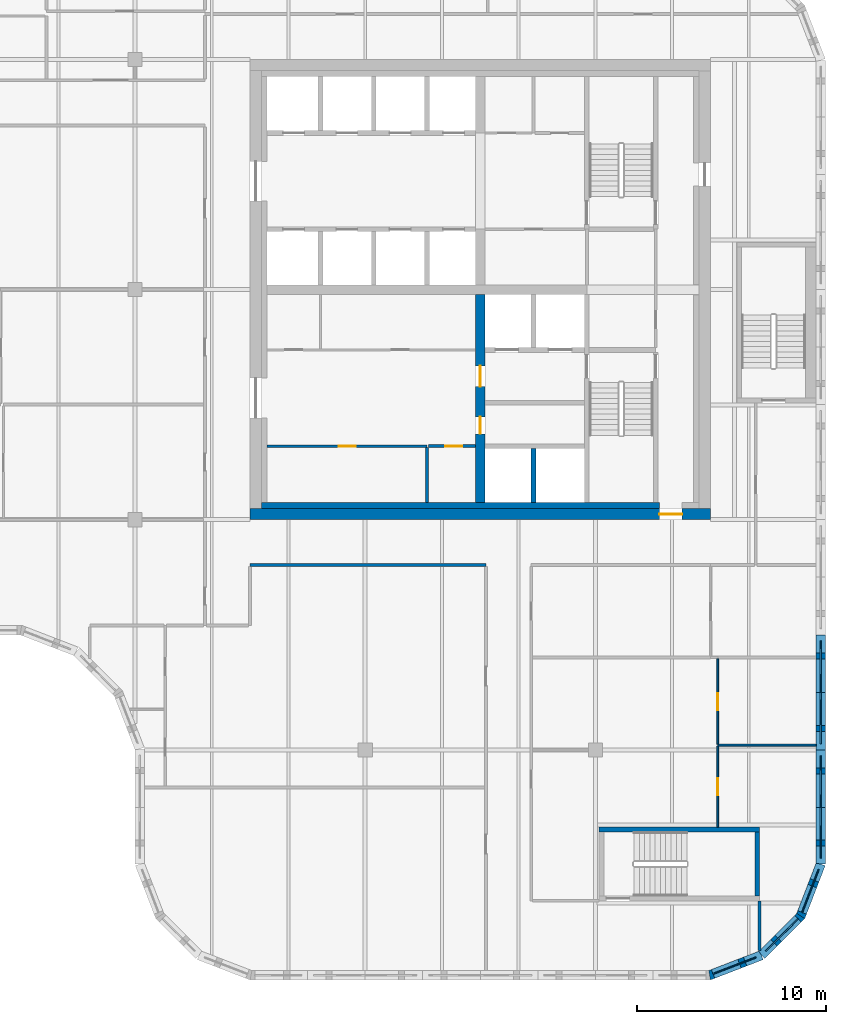
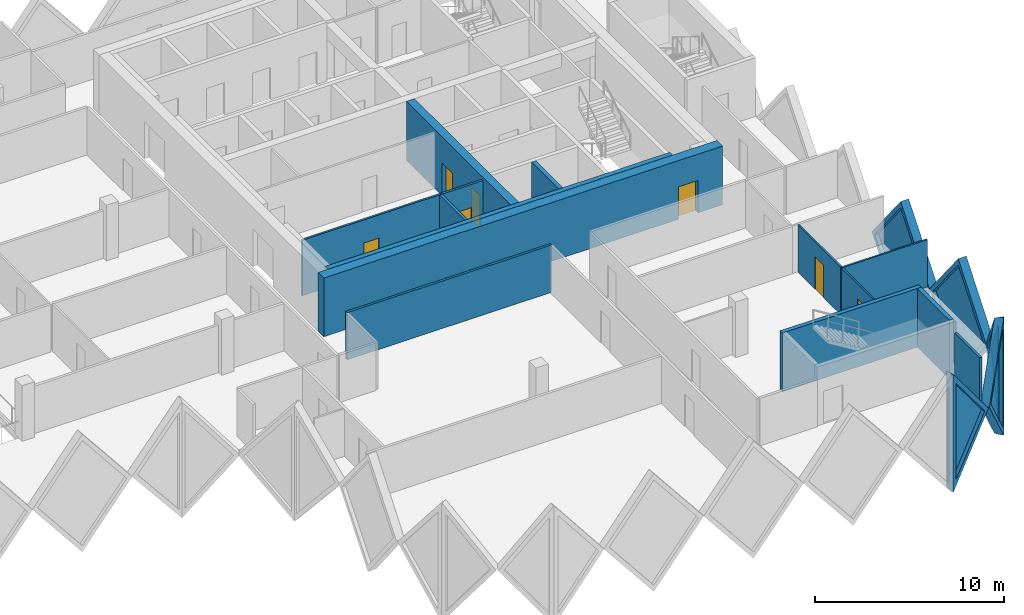
# One storey, part 5 of 12: 19 walls, 7 doors, 5 plates, 12 openings.
"""IFC4 building model written with IfcOpenShell, lengths in metres."""

from ifc_helpers import new_model, si_unit, direction, frame, frame_2d, origin, place, context, subcontext, project, spatial, polyline, rectangle, outline, extrude, faceted_brep, source, transform, mapped, material, layer, layer_set, type_object, element, fill, save


model = new_model("IFC4")

# Units and contexts
model_context = context("Model", 3, precision=1e-05, world=origin(), true_north=direction((0.0, 1.0)))
body_context = subcontext(model_context, "Body", "Model", "MODEL_VIEW")
ifc_project = project(units=[si_unit("LENGTHUNIT", "METRE"), si_unit("AREAUNIT", "SQUARE_METRE"), si_unit("VOLUMEUNIT", "CUBIC_METRE"), si_unit("PLANEANGLEUNIT", "RADIAN"), si_unit("MASSUNIT", "GRAM", prefix="KILO")], contexts=[model_context])

# Site, building, storey
site_placement = place(None, origin())
site = spatial("IfcSite", under=ifc_project, at=site_placement, CompositionType="ELEMENT")
building_placement = place(site_placement, origin())
building = spatial("IfcBuilding", under=site, at=building_placement, Name="Tessera Gate Towers", CompositionType="ELEMENT")
storey_placement = place(building_placement, frame((0.0, 0.0, 185.800048828125)))
storey = spatial("IfcBuildingStorey", under=building, at=storey_placement, Name="L46", CompositionType="ELEMENT", Elevation=185.800048828125)

# Walls
ifc_material_1 = material(Name="Concrete C40/50", Category="concrete")
ifc_layer_1 = layer(ifc_material_1, 0.25)
ifc_layer_set_1 = layer_set([ifc_layer_1], Name="CORE ENCLOSURE WALL 250")
wall_type_1 = type_object("IfcWallType", Name="CORE ENCLOSURE WALL 250", PredefinedType="SOLIDWALL", material=ifc_layer_set_1)
wall_1_placement = place(storey_placement, frame((45.52490234375, 25.300048828125, 0.0), z_axis=(0.0, 0.0, 1.0), x_axis=(0.0, 1.0, 0.0)))
element("IfcWall", 1, at=wall_1_placement, inside=storey, type_object=wall_type_1, Name="L46 shaft and stair enclosure wall", PredefinedType="SOLIDWALL", context=body_context, shape_type="SweptSolid", body=[
    extrude(rectangle(XDim=2.875, YDim=0.25, at=frame_2d((1.4375, 0.0))), origin(), (0.0, 0.0, 1.0), 3.800048828125),
])
wall_2_placement = place(storey_placement, frame((49.0, 7.97509765625, 0.0), z_axis=(0.0, 0.0, 1.0), x_axis=(1.0, 0.0, 0.0)))
element("IfcWall", 2, at=wall_2_placement, inside=storey, type_object=wall_type_1, Name="L46 ST4 enclosure wall", PredefinedType="SOLIDWALL", context=body_context, shape_type="SweptSolid", body=[
    extrude(rectangle(XDim=8.5, YDim=0.25, at=frame_2d((4.25, 0.0))), origin(), (0.0, 0.0, 1.0), 3.800048828125),
])
wall_3_placement = place(storey_placement, frame((57.375, 7.85009765625, 0.0), z_axis=(0.0, 0.0, 1.0), x_axis=(0.0, -1.0, 0.0)))
element("IfcWall", 3, at=wall_3_placement, inside=storey, type_object=wall_type_1, Name="L46 ST4 enclosure wall", PredefinedType="SOLIDWALL", context=body_context, shape_type="SweptSolid", body=[
    extrude(rectangle(XDim=3.400146484375, YDim=0.25, at=frame_2d((1.7001953125, 0.0))), origin(), (0.0, 0.0, 1.0), 3.800048828125),
])

# Wall, opening, door
ifc_material_2 = material(Name="Gypsum board on steel studs", Category="steel")
ifc_layer_2 = layer(ifc_material_2, 0.1201171875)
ifc_layer_set_2 = layer_set([ifc_layer_2], Name="CORE PARTITION 120")
wall_type_2 = type_object("IfcWallType", Name="CORE PARTITION 120", PredefinedType="PARTITIONING", material=ifc_layer_set_2)
wall_4_placement = place(storey_placement, frame((39.875, 28.300048828125, 0.0), z_axis=(0.0, 0.0, 1.0), x_axis=(-1.0, 0.0, 0.0)))
wall_4 = element("IfcWall", 4, at=wall_4_placement, inside=storey, type_object=wall_type_2, Name="L46 core partition", PredefinedType="PARTITIONING", context=body_context, shape_type="SweptSolid", body=[
    extrude(rectangle(XDim=8.47509765625, YDim=0.1201171875, at=frame_2d((4.237548828125, 0.0))), origin(), (0.0, 0.0, 1.0), 3.599853515625),
])
shared_shape_1 = source(origin(), body_context, "Body", "SweptSolid", [
    extrude(rectangle(XDim=0.89990234375, YDim=2.10009765625, at=frame_2d((0.449951171875, 1.050048828125))), frame((0.0, 0.070068359375, 0.0), z_axis=(0.0, -1.0, 0.0), x_axis=(1.0, 0.0, 0.0)), (0.0, 0.0, 1.0), 0.14013671875),
])
opening_1_placement = place(wall_4_placement, frame((3.78759765625, 0.0, 0.0)))
opening_1 = element("IfcOpeningElement", 5, at=opening_1_placement, cuts=wall_4, Name="Opening RD-T1-28-09", PredefinedType="OPENING", context=body_context, shape_type="MappedRepresentation", body=[
    mapped(shared_shape_1, transform((0.0, 0.0, 0.0), scale=1.0)),
])
ifc_material_3 = material(Name="Hollow steel fire door", Category="steel")
door_type_1 = type_object("IfcDoorType", Name="CORE DOOR RD 900x2100", OperationType="NOTDEFINED", PredefinedType="DOOR", material=ifc_material_3)
shared_shape_2 = source(origin(), body_context, "Body", "SweptSolid", [
    extrude(rectangle(XDim=0.89990234375, YDim=2.10009765625, at=frame_2d((0.449951171875, 1.050048828125))), frame((0.0, 0.02490234375, 0.0), z_axis=(0.0, -1.0, 0.0), x_axis=(1.0, 0.0, 0.0)), (0.0, 0.0, 1.0), 0.050048828125),
])
door_1_placement = place(opening_1_placement, origin())
door_1 = element("IfcDoor", 6, at=door_1_placement, inside=storey, type_object=door_type_1, Name="Core room door", OperationType="SINGLE_SWING_RIGHT", OverallHeight=2.10009765625, OverallWidth=0.89990234375, PredefinedType="DOOR", context=body_context, shape_type="MappedRepresentation", body=[
    mapped(shared_shape_2, transform((0.0, 0.0, 0.0), scale=1.0)),
])
fill(opening_1, door_1)

ifc_material_4 = material(Name="Concrete C50/60", Category="concrete")
ifc_layer_3 = layer(ifc_material_4, 0.60009765625)
ifc_layer_set_3 = layer_set([ifc_layer_3], Name="CORE SHEAR WALL 600 C50/60")
wall_type_3 = type_object("IfcWallType", Name="CORE SHEAR WALL 600 C50/60", PredefinedType="SHEAR", material=ifc_layer_set_3)
wall_5_placement = place(storey_placement, frame((54.89990234375, 24.699951171875, 0.0), z_axis=(0.0, 0.0, 1.0), x_axis=(-1.0, 0.0, 0.0)))
wall_5 = element("IfcWall", 7, at=wall_5_placement, inside=storey, type_object=wall_type_3, Name="Core wall S L46", PredefinedType="SHEAR", context=body_context, shape_type="SweptSolid", body=[
    extrude(rectangle(XDim=24.39990234375, YDim=0.60009765625, at=frame_2d((12.199951171875, 0.0))), origin(), (0.0, 0.0, 1.0), 3.800048828125),
])
shared_shape_3 = source(origin(), body_context, "Body", "SweptSolid", [
    extrude(rectangle(XDim=1.199951171875, YDim=2.10009765625, at=frame_2d((0.60009765625, 1.050048828125))), frame((0.0, 0.31005859375, 0.0), z_axis=(0.0, -1.0, 0.0), x_axis=(1.0, 0.0, 0.0)), (0.0, 0.0, 1.0), 0.6201171875),
])
opening_2_placement = place(wall_5_placement, frame((1.5, 0.0, 0.0)))
opening_2 = element("IfcOpeningElement", 8, at=opening_2_placement, cuts=wall_5, Name="Opening ED-T1-28-01", PredefinedType="OPENING", context=body_context, shape_type="MappedRepresentation", body=[
    mapped(shared_shape_3, transform((0.0, 0.0, 0.0), scale=1.0)),
])
ifc_material_5 = material(Name="Hollow steel fire door", Category="steel")
door_type_2 = type_object("IfcDoorType", Name="CORE DOOR ED 1200x2100", OperationType="NOTDEFINED", PredefinedType="DOOR", material=ifc_material_5)
shared_shape_4 = source(origin(), body_context, "Body", "SweptSolid", [
    extrude(rectangle(XDim=1.199951171875, YDim=2.10009765625, at=frame_2d((0.60009765625, 1.050048828125))), frame((0.0, 0.02490234375, 0.0), z_axis=(0.0, -1.0, 0.0), x_axis=(1.0, 0.0, 0.0)), (0.0, 0.0, 1.0), 0.050048828125),
])
door_2_placement = place(opening_2_placement, origin())
door_2 = element("IfcDoor", 9, at=door_2_placement, inside=storey, type_object=door_type_2, Name="Core exit door", OperationType="SINGLE_SWING_LEFT", OverallHeight=2.10009765625, OverallWidth=1.199951171875, PredefinedType="DOOR", context=body_context, shape_type="MappedRepresentation", body=[
    mapped(shared_shape_4, transform((0.0, 0.0, 0.0), scale=1.0)),
])
fill(opening_2, door_2)

# Wall, openings, doors
ifc_material_6 = material(Name="Concrete C50/60", Category="concrete")
ifc_layer_4 = layer(ifc_material_6, 0.5)
ifc_layer_set_4 = layer_set([ifc_layer_4], Name="CORE SPINE WALL 500 C50/60")
wall_type_4 = type_object("IfcWallType", Name="CORE SPINE WALL 500 C50/60", PredefinedType="SHEAR", material=ifc_layer_set_4)
wall_6_placement = place(storey_placement, frame((42.699951171875, 36.35009765625, 0.0), z_axis=(0.0, 0.0, 1.0), x_axis=(0.0, -1.0, 0.0)))
wall_6 = element("IfcWall", 10, at=wall_6_placement, inside=storey, type_object=wall_type_4, Name="Core wall spine L46", PredefinedType="SHEAR", context=body_context, shape_type="SweptSolid", body=[
    extrude(rectangle(XDim=11.050048828125, YDim=0.5, at=frame_2d((5.52490234375, 0.0))), origin(), (0.0, 0.0, 1.0), 3.800048828125),
])
shared_shape_5 = source(origin(), body_context, "Body", "SweptSolid", [
    extrude(rectangle(XDim=0.89990234375, YDim=2.10009765625, at=frame_2d((0.449951171875, 1.050048828125))), frame((0.0, 0.260009765625, 0.0), z_axis=(0.0, -1.0, 0.0), x_axis=(1.0, 0.0, 0.0)), (0.0, 0.0, 1.0), 0.52001953125),
])
opening_3_placement = place(wall_6_placement, frame((6.5, 0.0, 0.0)))
opening_3 = element("IfcOpeningElement", 11, at=opening_3_placement, cuts=wall_6, Name="Opening RD-T1-28-05", PredefinedType="OPENING", context=body_context, shape_type="MappedRepresentation", body=[
    mapped(shared_shape_5, transform((0.0, 0.0, 0.0), scale=1.0)),
])
shared_shape_6 = source(origin(), body_context, "Body", "SweptSolid", [
    extrude(rectangle(XDim=1.10009765625, YDim=2.10009765625, at=frame_2d((0.550048828125, 1.050048828125))), frame((0.0, 0.260009765625, 0.0), z_axis=(0.0, -1.0, 0.0), x_axis=(1.0, 0.0, 0.0)), (0.0, 0.0, 1.0), 0.52001953125),
])
opening_4_placement = place(wall_6_placement, frame((3.800048828125, 0.0, 0.0)))
opening_4 = element("IfcOpeningElement", 12, at=opening_4_placement, cuts=wall_6, Name="Opening FD-T1-28-06", PredefinedType="OPENING", context=body_context, shape_type="MappedRepresentation", body=[
    mapped(shared_shape_6, transform((0.0, 0.0, 0.0), scale=1.0)),
])
door_3_placement = place(opening_3_placement, origin())
door_3 = element("IfcDoor", 13, at=door_3_placement, inside=storey, type_object=door_type_1, Name="Core room door", OperationType="SINGLE_SWING_RIGHT", OverallHeight=2.10009765625, OverallWidth=0.89990234375, PredefinedType="DOOR", context=body_context, shape_type="MappedRepresentation", body=[
    mapped(shared_shape_2, transform((0.0, 0.0, 0.0), scale=1.0)),
])
fill(opening_3, door_3)
ifc_material_7 = material(Name="Hollow steel fire door", Category="steel")
door_type_3 = type_object("IfcDoorType", Name="CORE DOOR FD 1100x2100", OperationType="NOTDEFINED", PredefinedType="DOOR", material=ifc_material_7)
shared_shape_7 = source(origin(), body_context, "Body", "SweptSolid", [
    extrude(rectangle(XDim=1.10009765625, YDim=2.10009765625, at=frame_2d((0.550048828125, 1.050048828125))), frame((0.0, 0.02490234375, 0.0), z_axis=(0.0, -1.0, 0.0), x_axis=(1.0, 0.0, 0.0)), (0.0, 0.0, 1.0), 0.050048828125),
])
door_4_placement = place(opening_4_placement, origin())
door_4 = element("IfcDoor", 14, at=door_4_placement, inside=storey, type_object=door_type_3, Name="Fire-fighting lobby door", OperationType="SINGLE_SWING_LEFT", OverallHeight=2.10009765625, OverallWidth=1.10009765625, PredefinedType="DOOR", context=body_context, shape_type="MappedRepresentation", body=[
    mapped(shared_shape_7, transform((0.0, 0.0, 0.0), scale=1.0)),
])
fill(opening_4, door_4)

# Walls
ifc_material_8 = material(Name="Concrete C50/60", Category="concrete")
ifc_layer_5 = layer(ifc_material_8, 0.300048828125)
ifc_layer_set_5 = layer_set([ifc_layer_5], Name="CORE WALL THICKENING 300")
wall_type_5 = type_object("IfcWallType", Name="CORE WALL THICKENING 300", PredefinedType="SOLIDWALL", material=ifc_layer_set_5)
wall_7_placement = place(storey_placement, frame((31.10009765625, 25.14990234375, 0.0), z_axis=(0.0, 0.0, 1.0), x_axis=(1.0, 0.0, 0.0)))
element("IfcWall", 15, at=wall_7_placement, inside=storey, type_object=wall_type_5, Name="Core wall thickening S L46", PredefinedType="SOLIDWALL", context=body_context, shape_type="SweptSolid", body=[
    extrude(rectangle(XDim=21.099853515625, YDim=0.300048828125, at=frame_2d((10.5498046875, 0.0))), origin(), (0.0, 0.0, 1.0), 3.800048828125),
])
ifc_material_9 = material(Name="Gypsum board on steel studs, mineral wool", Category="steel")
ifc_layer_6 = layer(ifc_material_9, 0.14990234375)
ifc_layer_set_6 = layer_set([ifc_layer_6], Name="CORRIDOR WALL 150")
wall_type_6 = type_object("IfcWallType", Name="CORRIDOR WALL 150", PredefinedType="PARTITIONING", material=ifc_layer_set_6)
wall_8_placement = place(storey_placement, frame((57.5, 1.55908203125, 0.0), z_axis=(0.0, 0.0, 1.0), x_axis=(0.0, 1.0, 0.0)))
element("IfcWall", 16, at=wall_8_placement, inside=storey, type_object=wall_type_6, Name="T1-L46-PW-002", PredefinedType="PARTITIONING", context=body_context, shape_type="SweptSolid", body=[
    extrude(rectangle(XDim=2.640869140625, YDim=0.14990234375, at=frame_2d((1.3203125, 0.0))), origin(), (0.0, 0.0, 1.0), 3.06689453125),
])
wall_9_placement = place(storey_placement, frame((30.5, 22.0, 0.0), z_axis=(0.0, 0.0, 1.0), x_axis=(1.0, 0.0, 0.0)))
element("IfcWall", 17, at=wall_9_placement, inside=storey, type_object=wall_type_6, Name="T1-L46-PW-023", PredefinedType="PARTITIONING", context=body_context, shape_type="SweptSolid", body=[
    extrude(rectangle(XDim=12.5, YDim=0.14990234375, at=frame_2d((6.25, 0.0))), origin(), (0.0, 0.0, 1.0), 3.06689453125),
])

# Wall, opening, door
ifc_material_10 = material(Name="Glass", Category="glass")
ifc_layer_7 = layer(ifc_material_10, 0.10009765625)
ifc_layer_set_7 = layer_set([ifc_layer_7], Name="GLAZED PARTITION 100")
wall_type_7 = type_object("IfcWallType", Name="GLAZED PARTITION 100", PredefinedType="PARTITIONING", material=ifc_layer_set_7)
wall_10_placement = place(storey_placement, frame((55.2900390625, 12.396728515625, 0.0), z_axis=(0.0, 0.0, 1.0), x_axis=(0.0, -1.0, 0.0)))
wall_10 = element("IfcWall", 18, at=wall_10_placement, inside=storey, type_object=wall_type_7, Name="T1-L46-PW-005", PredefinedType="PARTITIONING", context=body_context, shape_type="SweptSolid", body=[
    extrude(rectangle(XDim=4.296630859375, YDim=0.10009765625, at=frame_2d((2.1484375, 0.0))), origin(), (0.0, 0.0, 1.0), 3.06689453125),
])
shared_shape_8 = source(origin(), body_context, "Body", "SweptSolid", [
    extrude(rectangle(XDim=0.89990234375, YDim=2.10009765625, at=frame_2d((0.449951171875, 1.050048828125))), frame((0.0, 0.06005859375, 0.0), z_axis=(0.0, -1.0, 0.0), x_axis=(1.0, 0.0, 0.0)), (0.0, 0.0, 1.0), 0.1201171875),
])
opening_5_placement = place(wall_10_placement, frame((1.69677734375, 0.0, 0.0)))
opening_5 = element("IfcOpeningElement", 19, at=opening_5_placement, cuts=wall_10, Name="Opening D690-A17-01", PredefinedType="OPENING", context=body_context, shape_type="MappedRepresentation", body=[
    mapped(shared_shape_8, transform((0.0, 0.0, 0.0), scale=1.0)),
])
ifc_material_11 = material(Name="Glass in aluminium frame", Category="aluminium")
door_type_4 = type_object("IfcDoorType", Name="GLAZED DOOR 900 NOT RATED", OperationType="NOTDEFINED", PredefinedType="DOOR", material=ifc_material_11)
door_5_placement = place(opening_5_placement, origin())
door_5 = element("IfcDoor", 20, at=door_5_placement, inside=storey, type_object=door_type_4, Name="T1-L46-PD-003", OperationType="SINGLE_SWING_RIGHT", OverallHeight=2.10009765625, OverallWidth=0.89990234375, PredefinedType="DOOR", context=body_context, shape_type="MappedRepresentation", body=[
    mapped(shared_shape_2, transform((0.0, 0.0, 0.0), scale=1.0)),
])
fill(opening_5, door_5)

wall_11_placement = place(storey_placement, frame((55.2900390625, 17.02392578125, 0.0), z_axis=(0.0, 0.0, 1.0), x_axis=(0.0, -1.0, 0.0)))
wall_11 = element("IfcWall", 21, at=wall_11_placement, inside=storey, type_object=wall_type_7, Name="T1-L46-PW-010", PredefinedType="PARTITIONING", context=body_context, shape_type="SweptSolid", body=[
    extrude(rectangle(XDim=4.525146484375, YDim=0.10009765625, at=frame_2d((2.2626953125, 0.0))), origin(), (0.0, 0.0, 1.0), 3.06689453125),
])
opening_6_placement = place(wall_11_placement, frame((1.8251953125, 0.0, 0.0)))
opening_6 = element("IfcOpeningElement", 22, at=opening_6_placement, cuts=wall_11, Name="Opening D690-A17-02", PredefinedType="OPENING", context=body_context, shape_type="MappedRepresentation", body=[
    mapped(shared_shape_8, transform((0.0, 0.0, 0.0), scale=1.0)),
])
door_6_placement = place(opening_6_placement, origin())
door_6 = element("IfcDoor", 23, at=door_6_placement, inside=storey, type_object=door_type_4, Name="T1-L46-PD-005", OperationType="SINGLE_SWING_RIGHT", OverallHeight=2.10009765625, OverallWidth=0.89990234375, PredefinedType="DOOR", context=body_context, shape_type="MappedRepresentation", body=[
    mapped(shared_shape_2, transform((0.0, 0.0, 0.0), scale=1.0)),
])
fill(opening_6, door_6)

# Walls
ifc_material_12 = material(Name="Gypsum board on steel studs", Category="steel")
ifc_layer_8 = layer(ifc_material_12, 0.10009765625)
ifc_layer_set_8 = layer_set([ifc_layer_8], Name="PARTITION 100")
wall_type_8 = type_object("IfcWallType", Name="PARTITION 100", PredefinedType="PARTITIONING", material=ifc_layer_set_8)
wall_12_placement = place(storey_placement, frame((55.2900390625, 12.447998046875, 0.0), z_axis=(0.0, 0.0, 1.0), x_axis=(1.0, 0.0, 0.0)))
element("IfcWall", 24, at=wall_12_placement, inside=storey, type_object=wall_type_8, Name="T1-L46-PW-009", PredefinedType="PARTITIONING", context=body_context, shape_type="SweptSolid", body=[
    extrude(rectangle(XDim=5.2099609375, YDim=0.10009765625, at=frame_2d((2.60498046875, 0.0))), origin(), (0.0, 0.0, 1.0), 3.06689453125),
])
ifc_material_13 = material(Name="Gypsum board on steel studs", Category="steel")
ifc_layer_9 = layer(ifc_material_13, 0.14990234375)
ifc_layer_set_9 = layer_set([ifc_layer_9], Name="SERVICE ROOM WALL 150")
wall_type_9 = type_object("IfcWallType", Name="SERVICE ROOM WALL 150", PredefinedType="PARTITIONING", material=ifc_layer_set_9)
wall_13_placement = place(storey_placement, frame((39.875, 25.300048828125, 0.0), z_axis=(0.0, 0.0, 1.0), x_axis=(0.0, 1.0, 0.0)))
element("IfcWall", 25, at=wall_13_placement, inside=storey, type_object=wall_type_9, Name="L46 service room wall", PredefinedType="PARTITIONING", context=body_context, shape_type="SweptSolid", body=[
    extrude(rectangle(XDim=2.93994140625, YDim=0.14990234375, at=frame_2d((1.469970703125, 0.0))), origin(), (0.0, 0.0, 1.0), 3.599853515625),
])

# Wall, opening, door
wall_14_placement = place(storey_placement, frame((42.449951171875, 28.300048828125, 0.0), z_axis=(0.0, 0.0, 1.0), x_axis=(-1.0, 0.0, 0.0)))
wall_14 = element("IfcWall", 26, at=wall_14_placement, inside=storey, type_object=wall_type_9, Name="L46 service room wall", PredefinedType="PARTITIONING", context=body_context, shape_type="SweptSolid", body=[
    extrude(rectangle(XDim=2.5, YDim=0.14990234375, at=frame_2d((1.25, 0.0))), origin(), (0.0, 0.0, 1.0), 3.599853515625),
])
shared_shape_9 = source(origin(), body_context, "Body", "SweptSolid", [
    extrude(rectangle(XDim=0.89990234375, YDim=2.10009765625, at=frame_2d((0.449951171875, 1.050048828125))), frame((0.0, 0.0849609375, 0.0), z_axis=(0.0, -1.0, 0.0), x_axis=(1.0, 0.0, 0.0)), (0.0, 0.0, 1.0), 0.169921875),
])
opening_7_placement = place(wall_14_placement, frame((0.71240234375, 0.0, 0.0)))
opening_7 = element("IfcOpeningElement", 27, at=opening_7_placement, cuts=wall_14, Name="Opening RD-T1-28-14", PredefinedType="OPENING", context=body_context, shape_type="MappedRepresentation", body=[
    mapped(shared_shape_9, transform((0.0, 0.0, 0.0), scale=1.0)),
])
door_7_placement = place(opening_7_placement, origin())
door_7 = element("IfcDoor", 28, at=door_7_placement, inside=storey, type_object=door_type_1, Name="Core room door", OperationType="SINGLE_SWING_LEFT", OverallHeight=2.10009765625, OverallWidth=0.89990234375, PredefinedType="DOOR", context=body_context, shape_type="MappedRepresentation", body=[
    mapped(shared_shape_2, transform((0.0, 0.0, 0.0), scale=1.0)),
])
fill(opening_7, door_7)

# Wall, opening, plate
ifc_material_14 = material(Name="Precast concrete C60/75 white", Category="concrete")
ifc_layer_10 = layer(ifc_material_14, 0.5)
ifc_layer_set_10 = layer_set([ifc_layer_10], Name="TS1 tessera")
wall_type_10 = type_object("IfcWallType", Name="TS1 tessera", PredefinedType="SOLIDWALL", material=ifc_layer_set_10)
shared_shape_10 = source(origin(), body_context, "Body", "Brep", [
    faceted_brep([(3.00341796875, -0.25, 0.0), (6.053466796875, -0.25, 3.800048828125), (3.00341796875, -0.25, 7.60009765625), (0.0, -0.25, 3.800048828125), (0.046630859375, 0.25, 3.85888671875), (3.00341796875, 0.25, 7.60009765625), (6.053466796875, 0.25, 3.800048828125), (3.00341796875, 0.25, 0.0), (0.046630859375, 0.25, 3.7412109375), (0.0, 0.0, 3.800048828125)], [[[0, 1, 2, 3]], [[4, 5, 6, 7, 8]], [[7, 6, 1, 0]], [[6, 5, 2, 1]], [[5, 4, 9, 3, 2]], [[8, 7, 0, 3, 9]], [[8, 9, 4]]]),
])
wall_15_placement = place(storey_placement, frame((60.75, 6.146484375, -3.800048828125), z_axis=(0.0, 0.0, 1.0), x_axis=(0.0, 1.0, 0.0)))
wall_15 = element("IfcWall", 29, at=wall_15_placement, inside=storey, type_object=wall_type_10, Name="Precast tessera T1 TS1-0808", PredefinedType="SOLIDWALL", context=body_context, shape_type="MappedRepresentation", body=[
    mapped(shared_shape_10, transform((0.0, 0.0, 0.0), scale=1.0)),
])
shared_shape_11 = source(origin(), body_context, "Body", "SweptSolid", [
    extrude(outline(polyline([(3.0048828125, 0.4013671875), (5.73291015625, 3.800048828125), (3.0048828125, 7.19873046875), (0.318603515625, 3.800048828125), (3.0048828125, 0.4013671875)])), frame((0.0, 0.260009765625, 0.0), z_axis=(0.0, -1.0, 0.0), x_axis=(1.0, 0.0, 0.0)), (0.0, 0.0, 1.0), 0.52001953125),
])
opening_8_placement = place(wall_15_placement, origin())
opening_8 = element("IfcOpeningElement", 30, at=opening_8_placement, cuts=wall_15, Name="Opening T1-PL2-1654", PredefinedType="OPENING", context=body_context, shape_type="MappedRepresentation", body=[
    mapped(shared_shape_11, transform((0.0, 0.0, 0.0), scale=1.0)),
])
ifc_material_15 = material(Name="Low-e laminated glass", Category="glass")
ifc_layer_11 = layer(ifc_material_15, 0.06005859375)
ifc_layer_set_11 = layer_set([ifc_layer_11], Name="PL2 rhombic pane")
plate_type = type_object("IfcPlateType", Name="PL2 rhombic pane", PredefinedType="SHEET", material=ifc_layer_set_11)
shared_shape_12 = source(origin(), body_context, "Body", "SweptSolid", [
    extrude(outline(polyline([(3.0048828125, 0.4013671875), (5.73291015625, 3.800048828125), (3.0048828125, 7.19873046875), (0.318603515625, 3.800048828125), (3.0048828125, 0.4013671875)])), frame((0.0, 0.030029296875, 0.0), z_axis=(0.0, -1.0, 0.0), x_axis=(1.0, 0.0, 0.0)), (0.0, 0.0, 1.0), 0.06005859375),
])
plate_1_placement = place(opening_8_placement, origin())
plate_1 = element("IfcPlate", 31, at=plate_1_placement, inside=storey, type_object=plate_type, Name="Glass pane T1 PL2-1654", PredefinedType="SHEET", context=body_context, shape_type="MappedRepresentation", body=[
    mapped(shared_shape_12, transform((0.0, 0.0, 0.0), scale=1.0)),
])
fill(opening_8, plate_1)

shared_shape_13 = source(origin(), body_context, "Body", "SweptSolid", [
    extrude(outline(polyline([(3.050048828125, 0.0), (6.10009765625, 3.800048828125), (3.050048828125, 7.60009765625), (0.0, 3.800048828125), (3.050048828125, 0.0)])), frame((0.0, 0.25, 0.0), z_axis=(0.0, -1.0, 0.0), x_axis=(1.0, 0.0, 0.0)), (0.0, 0.0, 1.0), 0.5),
])
wall_16_placement = place(storey_placement, frame((60.75, 12.199951171875, -3.800048828125), z_axis=(0.0, 0.0, 1.0), x_axis=(0.0, 1.0, 0.0)))
wall_16 = element("IfcWall", 32, at=wall_16_placement, inside=storey, type_object=wall_type_10, Name="Precast tessera T1 TS1-0809", PredefinedType="SOLIDWALL", context=body_context, shape_type="MappedRepresentation", body=[
    mapped(shared_shape_13, transform((0.0, 0.0, 0.0), scale=1.0)),
])
shared_shape_14 = source(origin(), body_context, "Body", "SweptSolid", [
    extrude(outline(polyline([(3.050048828125, 0.3994140625), (5.779541015625, 3.800048828125), (3.050048828125, 7.20068359375), (0.320556640625, 3.800048828125), (3.050048828125, 0.3994140625)])), frame((0.0, 0.260009765625, 0.0), z_axis=(0.0, -1.0, 0.0), x_axis=(1.0, 0.0, 0.0)), (0.0, 0.0, 1.0), 0.52001953125),
])
opening_9_placement = place(wall_16_placement, origin())
opening_9 = element("IfcOpeningElement", 33, at=opening_9_placement, cuts=wall_16, Name="Opening T1-PL2-1655", PredefinedType="OPENING", context=body_context, shape_type="MappedRepresentation", body=[
    mapped(shared_shape_14, transform((0.0, 0.0, 0.0), scale=1.0)),
])
shared_shape_15 = source(origin(), body_context, "Body", "SweptSolid", [
    extrude(outline(polyline([(3.050048828125, 0.3994140625), (5.779541015625, 3.800048828125), (3.050048828125, 7.20068359375), (0.320556640625, 3.800048828125), (3.050048828125, 0.3994140625)])), frame((0.0, 0.030029296875, 0.0), z_axis=(0.0, -1.0, 0.0), x_axis=(1.0, 0.0, 0.0)), (0.0, 0.0, 1.0), 0.06005859375),
])
plate_2_placement = place(opening_9_placement, origin())
plate_2 = element("IfcPlate", 34, at=plate_2_placement, inside=storey, type_object=plate_type, Name="Glass pane T1 PL2-1655", PredefinedType="SHEET", context=body_context, shape_type="MappedRepresentation", body=[
    mapped(shared_shape_15, transform((0.0, 0.0, 0.0), scale=1.0)),
])
fill(opening_9, plate_2)

ifc_material_16 = material(Name="Precast concrete C60/75 white", Category="concrete")
ifc_layer_12 = layer(ifc_material_16, 0.5)
ifc_layer_set_12 = layer_set([ifc_layer_12], Name="TS3 corner tessera")
wall_type_11 = type_object("IfcWallType", Name="TS3 corner tessera", PredefinedType="SOLIDWALL", material=ifc_layer_set_12)
shared_shape_16 = source(origin(), body_context, "Body", "Brep", [
    faceted_brep([(0.046630859375, -0.25, 0.0), (2.9970703125, -0.25, 3.800048828125), (0.046630859375, -0.25, 7.60009765625), (0.0, -0.25, 7.541259765625), (0.0, -0.25, 0.058837890625), (0.09326171875, 0.25, 7.5400390625), (2.9443359375, 0.25, 3.8681640625), (2.9443359375, 0.25, 3.73193359375), (0.09326171875, 0.25, 0.06005859375), (2.9970703125, 0.00048828125, 3.800048828125), (0.046630859375, 0.0, 0.0), (0.046630859375, 0.0, 7.60009765625)], [[[0, 1, 2, 3, 4]], [[5, 6, 7, 8]], [[8, 7, 9, 1, 0, 10]], [[6, 5, 11, 2, 1, 9]], [[3, 2, 11]], [[10, 0, 4]], [[8, 10, 4, 3, 11, 5]], [[9, 7, 6]]]),
])
wall_17_placement = place(storey_placement, frame((54.81005859375, 0.233154296875, -3.800048828125), z_axis=(0.0, 0.0, 1.0), x_axis=(0.932990326376, 0.359901446078, 0.0)))
wall_17 = element("IfcWall", 35, at=wall_17_placement, inside=storey, type_object=wall_type_11, Name="Precast corner tessera T1 TS3-1060", PredefinedType="SOLIDWALL", context=body_context, shape_type="MappedRepresentation", body=[
    mapped(shared_shape_16, transform((0.0, 0.0, 0.0), scale=1.0)),
])
shared_shape_17 = source(origin(), body_context, "Body", "SweptSolid", [
    extrude(outline(polyline([(0.24658203125, 0.665283203125), (2.6806640625, 3.800048828125), (0.24658203125, 6.934814453125), (0.24658203125, 0.665283203125)])), frame((0.0, 0.260009765625, 0.0), z_axis=(0.0, -1.0, 0.0), x_axis=(1.0, 0.0, 0.0)), (0.0, 0.0, 1.0), 0.52001953125),
])
opening_10_placement = place(wall_17_placement, origin())
opening_10 = element("IfcOpeningElement", 36, at=opening_10_placement, cuts=wall_17, Name="Opening T1-PL2-1651", PredefinedType="OPENING", context=body_context, shape_type="MappedRepresentation", body=[
    mapped(shared_shape_17, transform((0.0, 0.0, 0.0), scale=1.0)),
])
shared_shape_18 = source(origin(), body_context, "Body", "SweptSolid", [
    extrude(outline(polyline([(0.24658203125, 0.665283203125), (2.6806640625, 3.800048828125), (0.24658203125, 6.934814453125), (0.24658203125, 0.665283203125)])), frame((0.0, 0.030029296875, 0.0), z_axis=(0.0, -1.0, 0.0), x_axis=(1.0, 0.0, 0.0)), (0.0, 0.0, 1.0), 0.06005859375),
])
plate_3_placement = place(opening_10_placement, origin())
plate_3 = element("IfcPlate", 37, at=plate_3_placement, inside=storey, type_object=plate_type, Name="Glass pane T1 PL2-1651", PredefinedType="SHEET", context=body_context, shape_type="MappedRepresentation", body=[
    mapped(shared_shape_18, transform((0.0, 0.0, 0.0), scale=1.0)),
])
fill(opening_10, plate_3)

shared_shape_19 = source(origin(), body_context, "Body", "Brep", [
    faceted_brep([(2.944091796875, -0.25, 0.0), (2.9970703125, -0.25, 0.068115234375), (2.9970703125, -0.25, 7.531982421875), (2.944091796875, -0.25, 7.60009765625), (0.0, -0.25, 3.800048828125), (0.052978515625, 0.25, 3.868408203125), (2.89111328125, 0.25, 7.531982421875), (2.89111328125, 0.25, 0.068115234375), (0.052978515625, 0.25, 3.731689453125), (2.944091796875, 0.000244140625, 0.0), (2.944091796875, 0.000244140625, 7.60009765625), (0.0, 0.0, 3.800048828125)], [[[0, 1, 2, 3, 4]], [[5, 6, 7, 8]], [[1, 0, 9]], [[10, 3, 2]], [[6, 5, 11, 4, 3, 10]], [[8, 7, 9, 0, 4, 11]], [[8, 11, 5]], [[1, 9, 7, 6, 10, 2]]]),
])
wall_18_placement = place(storey_placement, frame((57.606201171875, 1.31201171875, -3.800048828125), z_axis=(0.0, 0.0, 1.0), x_axis=(0.707147509625, 0.707066050402, 0.0)))
wall_18 = element("IfcWall", 38, at=wall_18_placement, inside=storey, type_object=wall_type_11, Name="Precast corner tessera T1 TS3-1061", PredefinedType="SOLIDWALL", context=body_context, shape_type="MappedRepresentation", body=[
    mapped(shared_shape_19, transform((0.0, 0.0, 0.0), scale=1.0)),
])
shared_shape_20 = source(origin(), body_context, "Body", "SweptSolid", [
    extrude(outline(polyline([(2.744140625, 6.93359375), (0.316162109375, 3.800048828125), (2.744140625, 0.666259765625), (2.744140625, 6.93359375)])), frame((0.0, 0.260009765625, 0.0), z_axis=(0.0, -1.0, 0.0), x_axis=(1.0, 0.0, 0.0)), (0.0, 0.0, 1.0), 0.52001953125),
])
opening_11_placement = place(wall_18_placement, origin())
opening_11 = element("IfcOpeningElement", 39, at=opening_11_placement, cuts=wall_18, Name="Opening T1-PL2-1652", PredefinedType="OPENING", context=body_context, shape_type="MappedRepresentation", body=[
    mapped(shared_shape_20, transform((0.0, 0.0, 0.0), scale=1.0)),
])
shared_shape_21 = source(origin(), body_context, "Body", "SweptSolid", [
    extrude(outline(polyline([(2.744140625, 6.93359375), (0.316162109375, 3.800048828125), (2.744140625, 0.666259765625), (2.744140625, 6.93359375)])), frame((0.0, 0.030029296875, 0.0), z_axis=(0.0, -1.0, 0.0), x_axis=(1.0, 0.0, 0.0)), (0.0, 0.0, 1.0), 0.06005859375),
])
plate_4_placement = place(opening_11_placement, origin())
plate_4 = element("IfcPlate", 40, at=plate_4_placement, inside=storey, type_object=plate_type, Name="Glass pane T1 PL2-1652", PredefinedType="SHEET", context=body_context, shape_type="MappedRepresentation", body=[
    mapped(shared_shape_21, transform((0.0, 0.0, 0.0), scale=1.0)),
])
fill(opening_11, plate_4)

shared_shape_22 = source(origin(), body_context, "Body", "Brep", [
    faceted_brep([(0.052978515625, -0.25, 0.0), (3.00341796875, -0.25, 3.800048828125), (0.052978515625, -0.25, 7.60009765625), (0.0, -0.25, 7.53173828125), (0.0, -0.25, 0.068359375), (0.10595703125, 0.25, 7.531982421875), (2.95703125, 0.25, 3.85986328125), (2.95703125, 0.25, 3.740234375), (0.10595703125, 0.25, 0.068115234375), (3.00341796875, 0.00048828125, 3.800048828125), (0.052978515625, 0.0, 0.0), (0.052978515625, 0.0, 7.60009765625)], [[[0, 1, 2, 3, 4]], [[5, 6, 7, 8]], [[8, 7, 9, 1, 0, 10]], [[6, 5, 11, 2, 1, 9]], [[3, 2, 11]], [[10, 0, 4]], [[8, 10, 4, 3, 11, 5]], [[9, 7, 6]]]),
])
wall_19_placement = place(storey_placement, frame((59.6689453125, 3.34423828125, -3.800048828125), z_axis=(0.0, 0.0, 1.0), x_axis=(0.35992665181, 0.932980602862, 0.0)))
wall_19 = element("IfcWall", 41, at=wall_19_placement, inside=storey, type_object=wall_type_11, Name="Precast corner tessera T1 TS3-1062", PredefinedType="SOLIDWALL", context=body_context, shape_type="MappedRepresentation", body=[
    mapped(shared_shape_22, transform((0.0, 0.0, 0.0), scale=1.0)),
])
shared_shape_23 = source(origin(), body_context, "Body", "SweptSolid", [
    extrude(outline(polyline([(0.2529296875, 0.665283203125), (2.68701171875, 3.800048828125), (0.2529296875, 6.934814453125), (0.2529296875, 0.665283203125)])), frame((0.0, 0.260009765625, 0.0), z_axis=(0.0, -1.0, 0.0), x_axis=(1.0, 0.0, 0.0)), (0.0, 0.0, 1.0), 0.52001953125),
])
opening_12_placement = place(wall_19_placement, origin())
opening_12 = element("IfcOpeningElement", 42, at=opening_12_placement, cuts=wall_19, Name="Opening T1-PL2-1653", PredefinedType="OPENING", context=body_context, shape_type="MappedRepresentation", body=[
    mapped(shared_shape_23, transform((0.0, 0.0, 0.0), scale=1.0)),
])
shared_shape_24 = source(origin(), body_context, "Body", "SweptSolid", [
    extrude(outline(polyline([(0.2529296875, 0.665283203125), (2.68701171875, 3.800048828125), (0.2529296875, 6.934814453125), (0.2529296875, 0.665283203125)])), frame((0.0, 0.030029296875, 0.0), z_axis=(0.0, -1.0, 0.0), x_axis=(1.0, 0.0, 0.0)), (0.0, 0.0, 1.0), 0.06005859375),
])
plate_5_placement = place(opening_12_placement, origin())
plate_5 = element("IfcPlate", 43, at=plate_5_placement, inside=storey, type_object=plate_type, Name="Glass pane T1 PL2-1653", PredefinedType="SHEET", context=body_context, shape_type="MappedRepresentation", body=[
    mapped(shared_shape_24, transform((0.0, 0.0, 0.0), scale=1.0)),
])
fill(opening_12, plate_5)

save(model, "model.ifc")
